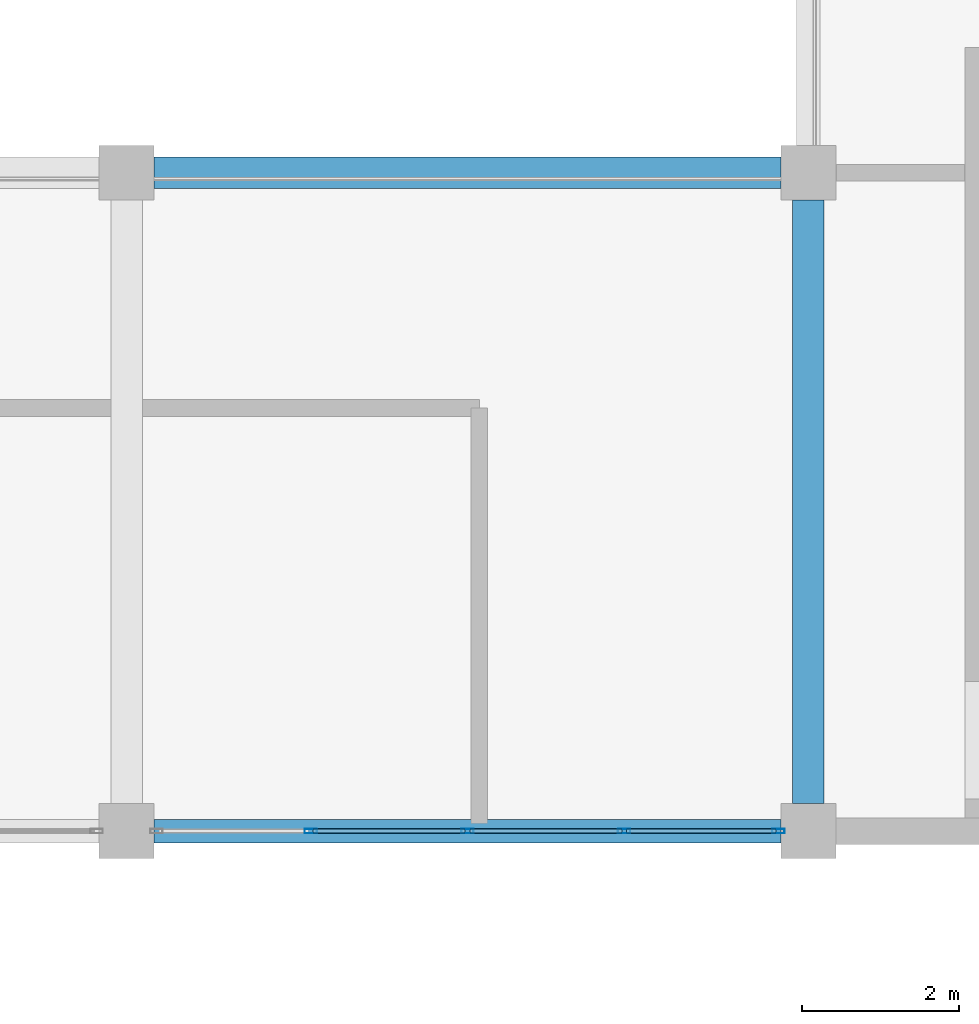
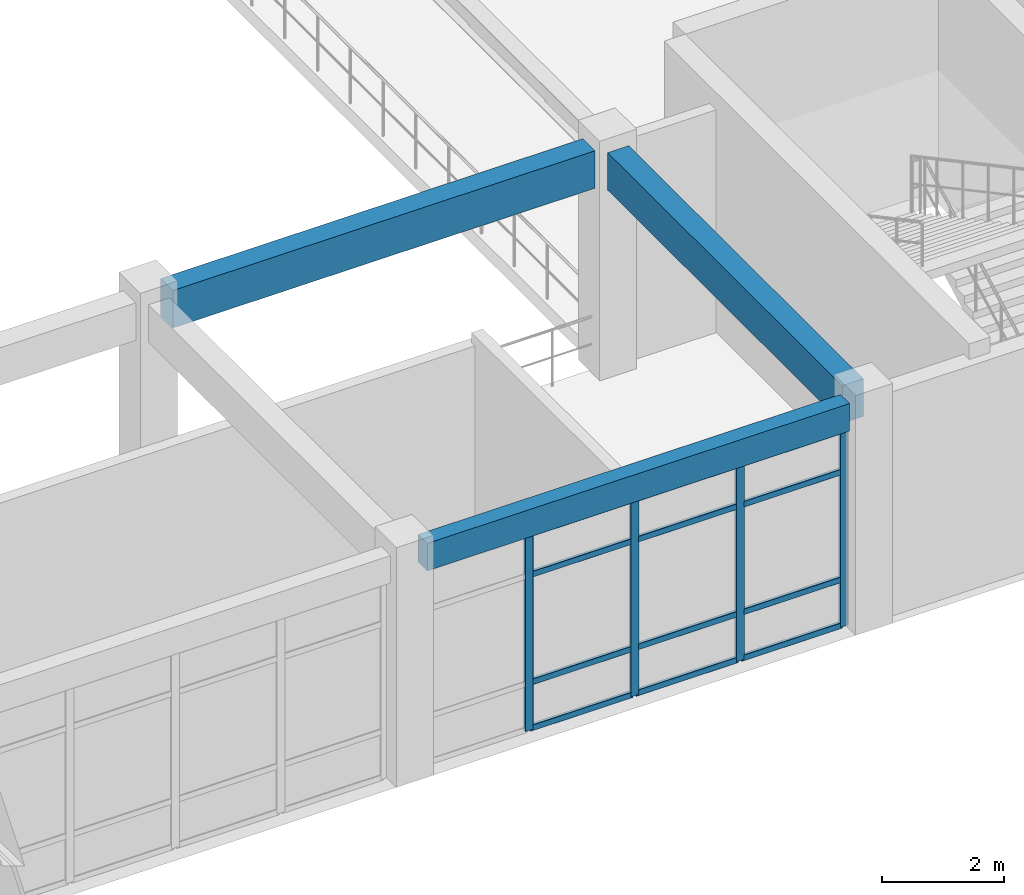
# One storey, part 26 of 76: 16 members, 3 beams, 1 element without a shape of its own.
"""IFC4 building model written with IfcOpenShell, lengths in metres."""

import ifcopenshell
import ifcopenshell.guid

model = None  # the IFC model being written
_history = None  # IfcOwnerHistory: only IFC2X3 demands one
_inside = {}  # id of a spatial element -> (the spatial element, [elements in it])
_under = {}  # id of a project, library or spatial element -> (it, [spatial elements below it])
_declared = {}  # id of a project -> (the project, [libraries it declares])
_typed = {}  # id of a type object -> (the type object, [elements of that type])
_made_of = {}  # id of a material, layer set ... -> (it, [elements and type objects made of it])


def new_model(schema):
    """Start an empty IFC model of exactly this schema.

    Asked for "IFC4X3", IfcOpenShell would pick the latest addendum, in which some entities
    have other attributes; the version numbers below select the first issue.
    IFC2X3 requires an IfcOwnerHistory on every rooted entity: one is made here for all.
    """
    global model, _history
    if schema == "IFC4X3":
        model = ifcopenshell.file(schema_version=(4, 3, 0, 0))
    else:
        model = ifcopenshell.file(schema=schema)
    _inside.clear()
    _under.clear()
    _declared.clear()
    _typed.clear()
    _made_of.clear()
    _history = None
    if model.schema == "IFC2X3":
        org = make("IfcOrganization", Name="unknown")
        user = make(
            "IfcPersonAndOrganization",
            ThePerson=make("IfcPerson", FamilyName="unknown"),
            TheOrganization=org,
        )
        app = make(
            "IfcApplication",
            ApplicationDeveloper=org,
            Version="unknown",
            ApplicationFullName="unknown",
            ApplicationIdentifier="unknown",
        )
        _history = make(
            "IfcOwnerHistory",
            OwningUser=user,
            OwningApplication=app,
            ChangeAction="ADDED",
            CreationDate=0,
        )
    return model


def make(cls, **values):
    """One entity of the class cls with the attributes given. An attribute that is None is left unset."""
    return model.create_entity(
        cls, **{name: value for name, value in values.items() if value is not None}
    )


def rooted(cls, **values):
    """An entity with a GlobalId (a new one), such as an element, a storey or a relation."""
    return make(cls, GlobalId=ifcopenshell.guid.new(), OwnerHistory=_history, **values)


def si_unit(unit_type, name, prefix=None):
    """IfcSIUnit, for example si_unit("LENGTHUNIT", "METRE", prefix="MILLI")."""
    return make("IfcSIUnit", UnitType=unit_type, Prefix=prefix, Name=name)


def derived_unit(unit_type, elements):
    """IfcDerivedUnit: a product of units, each with its exponent."""
    return make(
        "IfcDerivedUnit",
        Elements=[
            make("IfcDerivedUnitElement", Unit=unit, Exponent=power)
            for unit, power in elements
        ],
        UnitType=unit_type,
    )


def assignment(units):
    """IfcUnitAssignment: the units of a project."""
    return None if units is None else make("IfcUnitAssignment", Units=units)


def point(xyz):
    """IfcCartesianPoint."""
    return None if xyz is None else make("IfcCartesianPoint", Coordinates=xyz)


def direction(xyz):
    """IfcDirection."""
    return None if xyz is None else make("IfcDirection", DirectionRatios=xyz)


def frame(location, z_axis=None, x_axis=None):
    """IfcAxis2Placement3D, a coordinate frame: its origin and axes. An axis left out is left unset."""
    return make(
        "IfcAxis2Placement3D",
        Location=point(location),
        Axis=direction(z_axis),
        RefDirection=direction(x_axis),
    )


def frame_2d(location, x_axis=None):
    """IfcAxis2Placement2D, a coordinate frame in the plane: its origin and x axis."""
    return make(
        "IfcAxis2Placement2D", Location=point(location), RefDirection=direction(x_axis)
    )


def origin():
    """The frame at (0, 0, 0) with its axes left unset."""
    return frame((0.0, 0.0, 0.0))


def origin_2d():
    """The frame at (0, 0) in the plane with its x axis left unset."""
    return frame_2d((0.0, 0.0))


def place(relative_to, where):
    """IfcLocalPlacement: puts the frame where relative to a parent placement (None: the world)."""
    return make(
        "IfcLocalPlacement", PlacementRelTo=relative_to, RelativePlacement=where
    )


def context(
    kind, dimensions, precision=None, world=None, true_north=None, identifier=None
):
    """IfcGeometricRepresentationContext, for example the 3D "Model" context."""
    return make(
        "IfcGeometricRepresentationContext",
        ContextIdentifier=identifier,
        ContextType=kind,
        CoordinateSpaceDimension=dimensions,
        Precision=precision,
        WorldCoordinateSystem=world,
        TrueNorth=true_north,
    )


def subcontext(parent, identifier, kind, view, scale=None):
    """IfcGeometricRepresentationSubContext, for example "Body" below "Model"."""
    return make(
        "IfcGeometricRepresentationSubContext",
        ContextIdentifier=identifier,
        ContextType=kind,
        ParentContext=parent,
        TargetScale=scale,
        TargetView=view,
    )


def project(units=None, contexts=None):
    """IfcProject with its units and contexts."""
    return rooted(
        "IfcProject",
        Name="project",
        RepresentationContexts=contexts,
        UnitsInContext=assignment(units),
    )


def spatial(cls, under=None, at=None, **own):
    """A site, building, storey or space (cls), placed at a placement, below another one or the project."""
    s = rooted(cls, ObjectPlacement=at, **own)
    if under is not None:
        _under.setdefault(under.id(), (under, []))[1].append(s)
    return s


def profile(cls, at=None, kind="AREA", **sizes):
    """A parametric profile (cls). Its sizes go by their IFC names, for example OverallWidth=200.0."""
    return make(cls, ProfileType=kind, Position=at, **sizes)


def rectangle(**sizes):
    """IfcRectangleProfileDef."""
    return profile("IfcRectangleProfileDef", **sizes)


def hollow_rectangle(**sizes):
    """IfcRectangleHollowProfileDef."""
    return profile("IfcRectangleHollowProfileDef", **sizes)


def extrude(swept, where, along, depth):
    """IfcExtrudedAreaSolid: the profile swept, set in the frame where, extruded along a direction by depth."""
    return make(
        "IfcExtrudedAreaSolid",
        SweptArea=swept,
        Position=where,
        ExtrudedDirection=direction(along),
        Depth=depth,
    )


def shape(context_of_items, identifier, shape_type, items):
    """IfcShapeRepresentation: the items that make up one representation, for example the "Body"."""
    return make(
        "IfcShapeRepresentation",
        ContextOfItems=context_of_items,
        RepresentationIdentifier=identifier,
        RepresentationType=shape_type,
        Items=items,
    )


def material(Name=None, Category=None):
    """IfcMaterial."""
    return make("IfcMaterial", Name=Name, Category=Category)


def layer(
    of_material, thickness, ventilated=None, Name=None, Category=None, Priority=None
):
    """IfcMaterialLayer: one layer of a wall or slab, of a material (None: an air gap)."""
    return make(
        "IfcMaterialLayer",
        Material=of_material,
        LayerThickness=thickness,
        IsVentilated=ventilated,
        Name=Name,
        Category=Category,
        Priority=Priority,
    )


def layer_set(layers, Name=None):
    """IfcMaterialLayerSet."""
    return make("IfcMaterialLayerSet", MaterialLayers=layers, LayerSetName=Name)


def material_profile(
    of_material, cross_section, Name=None, Category=None, Priority=None
):
    """IfcMaterialProfile: a cross section and its material."""
    return make(
        "IfcMaterialProfile",
        Name=Name,
        Material=of_material,
        Profile=cross_section,
        Priority=Priority,
        Category=Category,
    )


def profile_set(profiles, Name=None, composite=None):
    """IfcMaterialProfileSet."""
    return make(
        "IfcMaterialProfileSet",
        Name=Name,
        MaterialProfiles=profiles,
        CompositeProfile=composite,
    )


def made_of(thing, what):
    """Note that an element or type object is made of a material, layer set ...; save() writes the relation."""
    if what is not None:
        _made_of.setdefault(what.id(), (what, []))[1].append(thing)
    return thing


def type_object(cls, material=None, **own):
    """A type object (cls), such as IfcWallType, which elements share."""
    return made_of(rooted(cls, **own), material)


def element(
    cls,
    number,
    at=None,
    inside=None,
    cuts=None,
    type_object=None,
    material=None,
    context=None,
    identifier="Body",
    shape_type=None,
    held_by="IfcProductDefinitionShape",
    body=None,
    shapes=None,
    **own,
):
    """One element of the class cls, such as IfcWall. Its Tag is "e" and its number.

    at: its placement. inside: the storey or other place that contains it. cuts: it is an
    opening in that element (IfcRelVoidsElement). A single representation is given by context,
    identifier, shape_type and body (its items); several are given by shapes. held_by: the class
    of the entity that holds the representations. save() writes the other relations.
    """
    e = rooted(cls, Tag="e%d" % number, ObjectPlacement=at, **own)
    if body is not None:
        shapes = [shape(context, identifier, shape_type, body)]
    if shapes is not None:
        e.Representation = make(held_by, Representations=shapes)
    if inside is not None:
        _inside.setdefault(inside.id(), (inside, []))[1].append(e)
    if cuts is not None:
        rooted(
            "IfcRelVoidsElement", RelatingBuildingElement=cuts, RelatedOpeningElement=e
        )
    if type_object is not None:
        _typed.setdefault(type_object.id(), (type_object, []))[1].append(e)
    return made_of(e, material)


def aggregate(whole, parts):
    """IfcRelAggregates: a whole, such as a stair, and the parts it consists of."""
    return rooted("IfcRelAggregates", RelatingObject=whole, RelatedObjects=parts)


def save(model, path):
    """Write the relations noted so far, then the file.

    IfcRelAggregates (storeys below a building ...), IfcRelContainedInSpatialStructure (elements
    in a storey), IfcRelDefinesByType, IfcRelAssociatesMaterial and IfcRelDeclares: one each for
    every whole, place, type object, material and project.
    """
    for whole, parts in _under.values():
        aggregate(whole, parts)
    for where, things in _inside.values():
        rooted(
            "IfcRelContainedInSpatialStructure",
            RelatedElements=things,
            RelatingStructure=where,
        )
    for kind, things in _typed.values():
        rooted("IfcRelDefinesByType", RelatedObjects=things, RelatingType=kind)
    for what, things in _made_of.values():
        rooted("IfcRelAssociatesMaterial", RelatedObjects=things, RelatingMaterial=what)
    for by, libraries in _declared.values():
        rooted("IfcRelDeclares", RelatingContext=by, RelatedDefinitions=libraries)
    model.write(path)


model = new_model("IFC4")

# Units and contexts
model_context = context("Model", 3, precision=1e-05, world=origin(), true_north=direction((0.0, 1.0)))
body_context = subcontext(model_context, "Body", "Model", "MODEL_VIEW")
ifc_project = project(units=[si_unit("LENGTHUNIT", "METRE"), si_unit("AREAUNIT", "SQUARE_METRE"), si_unit("VOLUMEUNIT", "CUBIC_METRE"), si_unit("PLANEANGLEUNIT", "RADIAN"), si_unit("MASSUNIT", "GRAM", prefix="KILO"), derived_unit("THERMALTRANSMITTANCEUNIT", [(si_unit("MASSUNIT", "GRAM", prefix="KILO"), 1), (si_unit("TIMEUNIT", "SECOND"), -3), (si_unit("THERMODYNAMICTEMPERATUREUNIT", "KELVIN"), -1)])], contexts=[model_context])

# Site, building, storey
site_placement = place(None, origin())
site = spatial("IfcSite", under=ifc_project, at=site_placement, CompositionType="ELEMENT")
building_placement = place(site_placement, origin())
building = spatial("IfcBuilding", under=site, at=building_placement, Name="Qinzheling Arcade Emporium", CompositionType="ELEMENT")
storey_placement = place(building_placement, frame((0.0, 0.0, 26.699951171875)))
storey = spatial("IfcBuildingStorey", under=building, at=storey_placement, Name="L06", CompositionType="ELEMENT", Elevation=26.699951171875)

# Curtain wall, members
ifc_material_1 = material(Name="Anodised aluminium and solar-control double glazing", Category="aluminium")
ifc_layer = layer(ifc_material_1, 0.159912109375, Name="Anodised aluminium and solar-control double glazing", Category="aluminium")
ifc_layer_set = layer_set([ifc_layer], Name="Anodised aluminium and solar-control double glazing")
curtain_wall_type = type_object("IfcCurtainWallType", Name="Atrium Clerestory Curtain Wall", PredefinedType="NOTDEFINED", material=ifc_layer_set)
curtain_wall_placement = place(storey_placement, origin())
curtain_wall = element("IfcCurtainWall", 1, at=curtain_wall_placement, inside=storey, type_object=curtain_wall_type, Name="Curtain Wall CW-L06-378", PredefinedType="NOTDEFINED")
ifc_material_2 = material(Name="Anodised aluminium 6063-T6", Category="aluminium")
ifc_material_profile_1 = material_profile(ifc_material_2, hollow_rectangle(XDim=0.06005859375, YDim=0.159912109375, WallThickness=0.00390625, InnerFilletRadius=0.00390625, OuterFilletRadius=0.008056640625, at=origin_2d()), Name="RHS 160x60x4", Category="aluminium")
ifc_profile_set_1 = profile_set([ifc_material_profile_1], Name="Anodised aluminium 6063-T6")
member_type_1 = type_object("IfcMemberType", Name="Curtain Wall Mullion RHS160x60", PredefinedType="MULLION", material=ifc_profile_set_1)
member_1_placement = place(storey_placement, frame((86.617919921875, 42.0, 0.0), z_axis=(0.0, 0.0, 1.0), x_axis=(0.0, -1.0, 0.0)))
member_1 = element("IfcMember", 2, at=member_1_placement, type_object=member_type_1, Name="CW03 mullion 1", PredefinedType="MULLION", context=body_context, shape_type="SweptSolid", body=[
    extrude(hollow_rectangle(XDim=0.06005859375, YDim=0.159912109375, WallThickness=0.00390625, InnerFilletRadius=0.00390625, OuterFilletRadius=0.008056640625, at=origin_2d()), origin(), (0.0, 0.0, 1.0), 3.955078125),
])
member_2_placement = place(storey_placement, frame((84.64892578125, 42.0, 0.0), z_axis=(0.0, 0.0, 1.0), x_axis=(0.0, -1.0, 0.0)))
member_2 = element("IfcMember", 3, at=member_2_placement, type_object=member_type_1, Name="CW03 mullion 2", PredefinedType="MULLION", context=body_context, shape_type="SweptSolid", body=[
    extrude(hollow_rectangle(XDim=0.06005859375, YDim=0.159912109375, WallThickness=0.00390625, InnerFilletRadius=0.00390625, OuterFilletRadius=0.008056640625, at=origin_2d()), origin(), (0.0, 0.0, 1.0), 3.955078125),
])
member_3_placement = place(storey_placement, frame((82.64990234375, 42.0, 0.0), z_axis=(0.0, 0.0, 1.0), x_axis=(0.0, -1.0, 0.0)))
member_3 = element("IfcMember", 4, at=member_3_placement, type_object=member_type_1, Name="CW03 mullion 3", PredefinedType="MULLION", context=body_context, shape_type="SweptSolid", body=[
    extrude(hollow_rectangle(XDim=0.06005859375, YDim=0.159912109375, WallThickness=0.00390625, InnerFilletRadius=0.00390625, OuterFilletRadius=0.008056640625, at=origin_2d()), origin(), (0.0, 0.0, 1.0), 3.955078125),
])
member_4_placement = place(storey_placement, frame((80.65087890625, 42.0, 0.0), z_axis=(0.0, 0.0, 1.0), x_axis=(0.0, -1.0, 0.0)))
member_4 = element("IfcMember", 5, at=member_4_placement, type_object=member_type_1, Name="CW03 mullion 4", PredefinedType="MULLION", context=body_context, shape_type="SweptSolid", body=[
    extrude(hollow_rectangle(XDim=0.06005859375, YDim=0.159912109375, WallThickness=0.00390625, InnerFilletRadius=0.00390625, OuterFilletRadius=0.008056640625, at=origin_2d()), origin(), (0.0, 0.0, 1.0), 3.955078125),
])
ifc_material_profile_2 = material_profile(ifc_material_2, hollow_rectangle(XDim=0.06005859375, YDim=0.1201171875, WallThickness=0.00390625, InnerFilletRadius=0.00390625, OuterFilletRadius=0.008056640625, at=origin_2d()), Name="RHS 120x60x4", Category="aluminium")
ifc_profile_set_2 = profile_set([ifc_material_profile_2], Name="Anodised aluminium 6063-T6")
member_type_2 = type_object("IfcMemberType", Name="Curtain Wall Transom RHS120x60", PredefinedType="USERDEFINED", material=ifc_profile_set_2)
member_5_placement = place(storey_placement, frame((86.587890625, 42.0, 0.030029296875), z_axis=(-1.0, 0.0, 0.0), x_axis=(0.0, -1.0, 0.0)))
member_5 = element("IfcMember", 6, at=member_5_placement, type_object=member_type_2, Name="CW03 transom 1.1", ObjectType="TRANSOM", PredefinedType="USERDEFINED", context=body_context, shape_type="SweptSolid", body=[
    extrude(hollow_rectangle(XDim=0.06005859375, YDim=0.1201171875, WallThickness=0.00390625, InnerFilletRadius=0.00390625, OuterFilletRadius=0.008056640625, at=origin_2d()), origin(), (0.0, 0.0, 1.0), 1.908935546875),
])
member_6_placement = place(storey_placement, frame((86.587890625, 42.0, 0.949951171875), z_axis=(-1.0, 0.0, 0.0), x_axis=(0.0, -1.0, 0.0)))
member_6 = element("IfcMember", 7, at=member_6_placement, type_object=member_type_2, Name="CW03 transom 1.2", ObjectType="TRANSOM", PredefinedType="USERDEFINED", context=body_context, shape_type="SweptSolid", body=[
    extrude(hollow_rectangle(XDim=0.06005859375, YDim=0.1201171875, WallThickness=0.00390625, InnerFilletRadius=0.00390625, OuterFilletRadius=0.008056640625, at=origin_2d()), origin(), (0.0, 0.0, 1.0), 1.908935546875),
])
member_7_placement = place(storey_placement, frame((86.587890625, 42.0, 3.10498046875), z_axis=(-1.0, 0.0, 0.0), x_axis=(0.0, -1.0, 0.0)))
member_7 = element("IfcMember", 8, at=member_7_placement, type_object=member_type_2, Name="CW03 transom 1.3", ObjectType="TRANSOM", PredefinedType="USERDEFINED", context=body_context, shape_type="SweptSolid", body=[
    extrude(hollow_rectangle(XDim=0.06005859375, YDim=0.1201171875, WallThickness=0.00390625, InnerFilletRadius=0.00390625, OuterFilletRadius=0.008056640625, at=origin_2d()), origin(), (0.0, 0.0, 1.0), 1.908935546875),
])
member_8_placement = place(storey_placement, frame((86.587890625, 42.0, 3.925048828125), z_axis=(-1.0, 0.0, 0.0), x_axis=(0.0, -1.0, 0.0)))
member_8 = element("IfcMember", 9, at=member_8_placement, type_object=member_type_2, Name="CW03 transom 1.4", ObjectType="TRANSOM", PredefinedType="USERDEFINED", context=body_context, shape_type="SweptSolid", body=[
    extrude(hollow_rectangle(XDim=0.06005859375, YDim=0.1201171875, WallThickness=0.00390625, InnerFilletRadius=0.00390625, OuterFilletRadius=0.008056640625, at=origin_2d()), origin(), (0.0, 0.0, 1.0), 1.908935546875),
])
member_9_placement = place(storey_placement, frame((84.618896484375, 42.0, 0.030029296875), z_axis=(-1.0, 0.0, 0.0), x_axis=(0.0, -1.0, 0.0)))
member_9 = element("IfcMember", 10, at=member_9_placement, type_object=member_type_2, Name="CW03 transom 2.1", ObjectType="TRANSOM", PredefinedType="USERDEFINED", context=body_context, shape_type="SweptSolid", body=[
    extrude(hollow_rectangle(XDim=0.06005859375, YDim=0.1201171875, WallThickness=0.00390625, InnerFilletRadius=0.00390625, OuterFilletRadius=0.008056640625, at=origin_2d()), origin(), (0.0, 0.0, 1.0), 1.93896484375),
])
member_10_placement = place(storey_placement, frame((84.618896484375, 42.0, 0.949951171875), z_axis=(-1.0, 0.0, 0.0), x_axis=(0.0, -1.0, 0.0)))
member_10 = element("IfcMember", 11, at=member_10_placement, type_object=member_type_2, Name="CW03 transom 2.2", ObjectType="TRANSOM", PredefinedType="USERDEFINED", context=body_context, shape_type="SweptSolid", body=[
    extrude(hollow_rectangle(XDim=0.06005859375, YDim=0.1201171875, WallThickness=0.00390625, InnerFilletRadius=0.00390625, OuterFilletRadius=0.008056640625, at=origin_2d()), origin(), (0.0, 0.0, 1.0), 1.93896484375),
])
member_11_placement = place(storey_placement, frame((84.618896484375, 42.0, 3.10498046875), z_axis=(-1.0, 0.0, 0.0), x_axis=(0.0, -1.0, 0.0)))
member_11 = element("IfcMember", 12, at=member_11_placement, type_object=member_type_2, Name="CW03 transom 2.3", ObjectType="TRANSOM", PredefinedType="USERDEFINED", context=body_context, shape_type="SweptSolid", body=[
    extrude(hollow_rectangle(XDim=0.06005859375, YDim=0.1201171875, WallThickness=0.00390625, InnerFilletRadius=0.00390625, OuterFilletRadius=0.008056640625, at=origin_2d()), origin(), (0.0, 0.0, 1.0), 1.93896484375),
])
member_12_placement = place(storey_placement, frame((84.618896484375, 42.0, 3.925048828125), z_axis=(-1.0, 0.0, 0.0), x_axis=(0.0, -1.0, 0.0)))
member_12 = element("IfcMember", 13, at=member_12_placement, type_object=member_type_2, Name="CW03 transom 2.4", ObjectType="TRANSOM", PredefinedType="USERDEFINED", context=body_context, shape_type="SweptSolid", body=[
    extrude(hollow_rectangle(XDim=0.06005859375, YDim=0.1201171875, WallThickness=0.00390625, InnerFilletRadius=0.00390625, OuterFilletRadius=0.008056640625, at=origin_2d()), origin(), (0.0, 0.0, 1.0), 1.93896484375),
])
member_13_placement = place(storey_placement, frame((82.6201171875, 42.0, 0.030029296875), z_axis=(-1.0, 0.0, 0.0), x_axis=(0.0, -1.0, 0.0)))
member_13 = element("IfcMember", 14, at=member_13_placement, type_object=member_type_2, Name="CW03 transom 3.1", ObjectType="TRANSOM", PredefinedType="USERDEFINED", context=body_context, shape_type="SweptSolid", body=[
    extrude(hollow_rectangle(XDim=0.06005859375, YDim=0.1201171875, WallThickness=0.00390625, InnerFilletRadius=0.00390625, OuterFilletRadius=0.008056640625, at=origin_2d()), origin(), (0.0, 0.0, 1.0), 1.939208984375),
])
member_14_placement = place(storey_placement, frame((82.6201171875, 42.0, 0.949951171875), z_axis=(-1.0, 0.0, 0.0), x_axis=(0.0, -1.0, 0.0)))
member_14 = element("IfcMember", 15, at=member_14_placement, type_object=member_type_2, Name="CW03 transom 3.2", ObjectType="TRANSOM", PredefinedType="USERDEFINED", context=body_context, shape_type="SweptSolid", body=[
    extrude(hollow_rectangle(XDim=0.06005859375, YDim=0.1201171875, WallThickness=0.00390625, InnerFilletRadius=0.00390625, OuterFilletRadius=0.008056640625, at=origin_2d()), origin(), (0.0, 0.0, 1.0), 1.939208984375),
])
member_15_placement = place(storey_placement, frame((82.6201171875, 42.0, 3.10498046875), z_axis=(-1.0, 0.0, 0.0), x_axis=(0.0, -1.0, 0.0)))
member_15 = element("IfcMember", 16, at=member_15_placement, type_object=member_type_2, Name="CW03 transom 3.3", ObjectType="TRANSOM", PredefinedType="USERDEFINED", context=body_context, shape_type="SweptSolid", body=[
    extrude(hollow_rectangle(XDim=0.06005859375, YDim=0.1201171875, WallThickness=0.00390625, InnerFilletRadius=0.00390625, OuterFilletRadius=0.008056640625, at=origin_2d()), origin(), (0.0, 0.0, 1.0), 1.939208984375),
])
member_16_placement = place(storey_placement, frame((82.6201171875, 42.0, 3.925048828125), z_axis=(-1.0, 0.0, 0.0), x_axis=(0.0, -1.0, 0.0)))
member_16 = element("IfcMember", 17, at=member_16_placement, type_object=member_type_2, Name="CW03 transom 3.4", ObjectType="TRANSOM", PredefinedType="USERDEFINED", context=body_context, shape_type="SweptSolid", body=[
    extrude(hollow_rectangle(XDim=0.06005859375, YDim=0.1201171875, WallThickness=0.00390625, InnerFilletRadius=0.00390625, OuterFilletRadius=0.008056640625, at=origin_2d()), origin(), (0.0, 0.0, 1.0), 1.939208984375),
])
aggregate(curtain_wall, [member_1, member_2, member_3, member_4, member_5, member_6, member_7, member_8, member_9, member_10, member_11, member_12, member_13, member_14, member_15, member_16])

# Beams
ifc_material_3 = material(Name="Concrete C40", Category="concrete")
ifc_material_profile_3 = material_profile(ifc_material_3, rectangle(XDim=0.39990234375, YDim=0.75, at=origin_2d()), Name="RC 400x750", Category="concrete")
ifc_profile_set_3 = profile_set([ifc_material_profile_3], Name="Concrete C40")
beam_type_1 = type_object("IfcBeamType", Name="RC Interior Tie Beam 400x750 C40", PredefinedType="BEAM", material=ifc_profile_set_3)
beam_1_placement = place(storey_placement, frame((78.64990234375, 50.39990234375, 4.14501953125), z_axis=(1.0, 0.0, 0.0), x_axis=(0.0, 1.0, 0.0)))
element("IfcBeam", 18, at=beam_1_placement, inside=storey, type_object=beam_type_1, Name="Beam BM-L06-X-G-10", PredefinedType="BEAM", context=body_context, shape_type="SweptSolid", body=[
    extrude(rectangle(XDim=0.39990234375, YDim=0.75, at=origin_2d()), origin(), (0.0, 0.0, 1.0), 8.0),
])
beam_2_placement = place(storey_placement, frame((87.0, 42.35009765625, 4.14501953125), z_axis=(0.0, 1.0, 0.0), x_axis=(-1.0, 0.0, 0.0)))
element("IfcBeam", 19, at=beam_2_placement, inside=storey, type_object=beam_type_1, Name="Beam BM-L06-Y-11-F", PredefinedType="BEAM", context=body_context, shape_type="SweptSolid", body=[
    extrude(rectangle(XDim=0.39990234375, YDim=0.75, at=origin_2d()), origin(), (0.0, 0.0, 1.0), 7.699951171875),
])
ifc_material_profile_4 = material_profile(ifc_material_3, rectangle(XDim=0.300048828125, YDim=0.550048828125, at=origin_2d()), Name="RC 300x550", Category="concrete")
ifc_profile_set_4 = profile_set([ifc_material_profile_4], Name="Concrete C40")
beam_type_2 = type_object("IfcBeamType", Name="RC Terrace Spandrel Beam 300x550 C40", PredefinedType="SPANDREL", material=ifc_profile_set_4)
beam_3_placement = place(storey_placement, frame((78.64990234375, 42.0, 4.2451171875), z_axis=(1.0, 0.0, 0.0), x_axis=(0.0, 1.0, 0.0)))
element("IfcBeam", 20, at=beam_3_placement, inside=storey, type_object=beam_type_2, Name="Beam BM-L06-X-F-10", PredefinedType="SPANDREL", context=body_context, shape_type="SweptSolid", body=[
    extrude(rectangle(XDim=0.300048828125, YDim=0.550048828125, at=origin_2d()), origin(), (0.0, 0.0, 1.0), 8.0),
])

save(model, "model.ifc")
